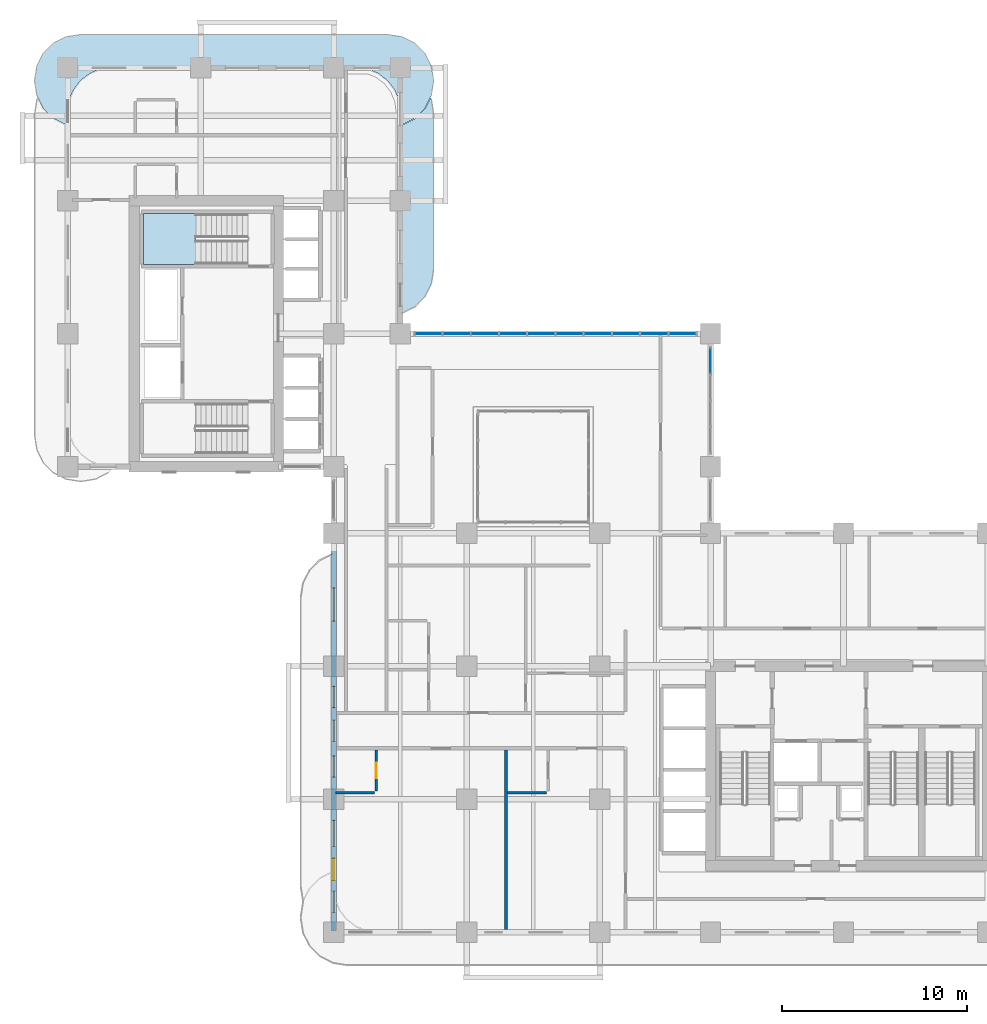
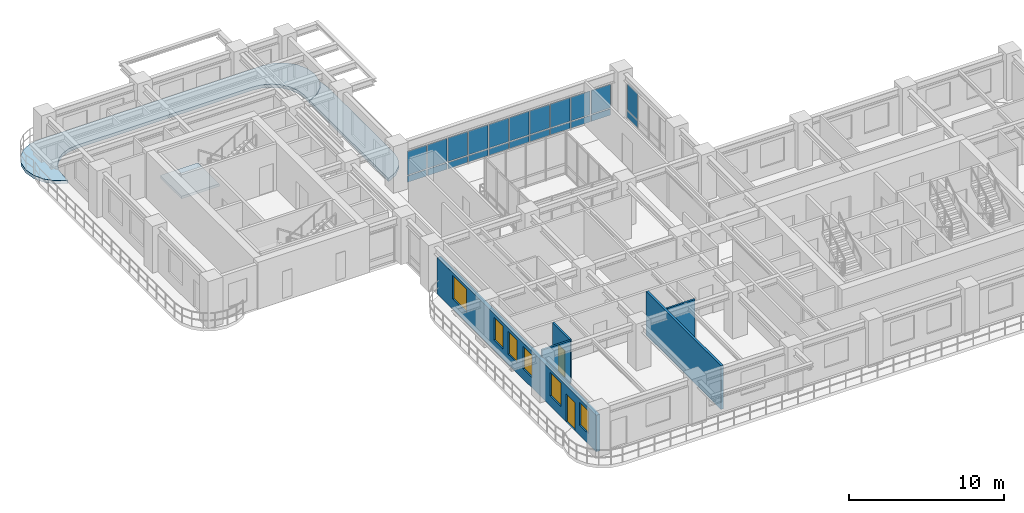
# One storey, part 11 of 22: 22 plates, 6 windows, 5 walls, 3 slabs, 2 doors, 8 openings, 3 elements without a shape of their own.
"""IFC4 building model written with IfcOpenShell, lengths in metres."""

from ifc_helpers import new_model, si_unit, derived_unit, direction, frame, frame_2d, origin, origin_2d, place, context, subcontext, project, spatial, polyline, rectangle, outline, extrude, source, transform, mapped, material, layer, layer_set, type_object, type_shapes, element, fill, aggregate, save


model = new_model("IFC4")

# Units and contexts
model_context = context("Model", 3, precision=1e-05, world=origin(), true_north=direction((0.0, 1.0)))
body_context = subcontext(model_context, "Body", "Model", "MODEL_VIEW")
ifc_project = project(units=[si_unit("LENGTHUNIT", "METRE"), si_unit("AREAUNIT", "SQUARE_METRE"), si_unit("VOLUMEUNIT", "CUBIC_METRE"), si_unit("PLANEANGLEUNIT", "RADIAN"), si_unit("MASSUNIT", "GRAM", prefix="KILO"), si_unit("THERMODYNAMICTEMPERATUREUNIT", "KELVIN"), si_unit("POWERUNIT", "WATT"), derived_unit("THERMALTRANSMITTANCEUNIT", [(si_unit("POWERUNIT", "WATT"), 1), (si_unit("AREAUNIT", "SQUARE_METRE"), -1), (si_unit("THERMODYNAMICTEMPERATUREUNIT", "KELVIN"), -1)])], contexts=[model_context])

# Site, building, storey
site_placement = place(None, origin())
site = spatial("IfcSite", under=ifc_project, at=site_placement, CompositionType="ELEMENT")
building_placement = place(site_placement, origin())
building = spatial("IfcBuilding", under=site, at=building_placement, Name="Zahravan Archway Hotel and Residences", CompositionType="ELEMENT")
storey_placement = place(building_placement, frame((0.0, 0.0, 87.89990234375)))
storey = spatial("IfcBuildingStorey", under=building, at=storey_placement, Name="L21", CompositionType="ELEMENT", Elevation=87.89990234375)

# Slabs
ifc_material_1 = material(Name="Concrete C45/55", Category="concrete")
ifc_layer_1 = layer(ifc_material_1, 0.25, Name="Concrete C45/55", Category="concrete")
ifc_layer_set_1 = layer_set([ifc_layer_1], Name="Concrete C45/55")
slab_type_1 = type_object("IfcSlabType", Name="SLB-BALC-250", PredefinedType="FLOOR", material=ifc_layer_set_1)
slab_1_placement = place(storey_placement, frame((0.0, 0.0, -0.25)))
element("IfcSlab", 1, at=slab_1_placement, inside=storey, type_object=slab_type_1, Name="L21 Wing B North Rounded Balcony Band", PredefinedType="FLOOR", context=body_context, shape_type="SweptSolid", body=[
    extrude(outline(polyline([(-0.107177734375, 43.719970703125), (-0.7900390625, 44.06787109375), (-1.33203125, 44.60986328125), (-1.68017578125, 45.29296875), (-1.800048828125, 46.050048828125), (-1.800048828125, 46.14990234375), (-1.68017578125, 46.906982421875), (-1.33203125, 47.590087890625), (-0.7900390625, 48.132080078125), (-0.107177734375, 48.47998046875), (0.64990234375, 48.60009765625), (17.35009765625, 48.60009765625), (18.107177734375, 48.47998046875), (18.7900390625, 48.132080078125), (19.33203125, 47.590087890625), (19.68017578125, 46.906982421875), (19.800048828125, 46.14990234375), (19.800048828125, 46.050048828125), (19.68017578125, 45.29296875), (19.33203125, 44.60986328125), (18.7900390625, 44.06787109375), (18.107177734375, 43.719970703125), (18.02001953125, 43.7060546875), (18.02001953125, 44.39990234375), (18.019775390625, 44.402587890625), (17.93798828125, 45.023681640625), (17.937744140625, 45.025390625), (17.937255859375, 45.027099609375), (17.936767578125, 45.02880859375), (17.697021484375, 45.607666015625), (17.6962890625, 45.609130859375), (17.6953125, 45.610595703125), (17.6943359375, 45.6123046875), (17.31298828125, 46.109375), (17.311767578125, 46.110595703125), (17.310546875, 46.11181640625), (17.309326171875, 46.113037109375), (16.812255859375, 46.494384765625), (16.810791015625, 46.495361328125), (16.80908203125, 46.49609375), (16.8076171875, 46.4970703125), (16.22900390625, 46.73681640625), (16.227294921875, 46.7373046875), (16.2255859375, 46.73779296875), (16.223876953125, 46.738037109375), (15.6025390625, 46.81982421875), (15.60009765625, 46.820068359375), (2.39990234375, 46.820068359375), (2.3974609375, 46.81982421875), (1.776123046875, 46.738037109375), (1.7744140625, 46.73779296875), (1.772705078125, 46.7373046875), (1.77099609375, 46.73681640625), (1.1923828125, 46.4970703125), (1.19091796875, 46.49609375), (1.189208984375, 46.495361328125), (1.187744140625, 46.494384765625), (0.690673828125, 46.113037109375), (0.689453125, 46.11181640625), (0.688232421875, 46.110595703125), (0.68701171875, 46.109375), (0.3056640625, 45.6123046875), (0.3046875, 45.610595703125), (0.3037109375, 45.609130859375), (0.302978515625, 45.607666015625), (0.063232421875, 45.02880859375), (0.062744140625, 45.027099609375), (0.062255859375, 45.025390625), (0.06201171875, 45.023681640625), (-0.019775390625, 44.402587890625), (-0.02001953125, 44.39990234375), (-0.02001953125, 43.7060546875), (-0.107177734375, 43.719970703125)])), origin(), (0.0, 0.0, 1.0), 0.25),
])
slab_2_placement = place(storey_placement, frame((0.0, 0.0, -0.25)))
element("IfcSlab", 2, at=slab_2_placement, inside=storey, type_object=slab_type_1, Name="L21 Wing B East Rounded Balcony Band", PredefinedType="FLOOR", context=body_context, shape_type="SweptSolid", body=[
    extrude(outline(polyline([(19.68017578125, 45.107177734375), (19.800048828125, 44.35009765625), (19.800048828125, 35.85009765625), (19.68017578125, 35.093017578125), (19.33203125, 34.409912109375), (18.7900390625, 33.867919921875), (18.107177734375, 33.52001953125), (18.02001953125, 33.506103515625), (18.02001953125, 43.68603515625), (18.021240234375, 43.68603515625), (18.023193359375, 43.686279296875), (18.110107421875, 43.7001953125), (18.1123046875, 43.70068359375), (18.1142578125, 43.701171875), (18.1162109375, 43.7021484375), (18.79931640625, 44.050048828125), (18.801025390625, 44.051025390625), (18.802734375, 44.052490234375), (18.80419921875, 44.0537109375), (19.34619140625, 44.595703125), (19.34765625, 44.597412109375), (19.348876953125, 44.59912109375), (19.349853515625, 44.600830078125), (19.64404296875, 45.177978515625), (19.68017578125, 45.107177734375)])), origin(), (0.0, 0.0, 1.0), 0.25),
])

# Stair, slab
ifc_material_2 = material(Name="Concrete C50/60", Category="concrete")
stair_type = type_object("IfcStairType", Name="STR-CORE-1300", PredefinedType="HALF_TURN_STAIR", material=ifc_material_2)
stair_placement = place(storey_placement, origin())
stair = element("IfcStair", 3, at=stair_placement, inside=storey, type_object=stair_type, Name="L21 Core B Exit Stair 2", PredefinedType="HALF_TURN_STAIR")
ifc_layer_2 = layer(ifc_material_2, 0.199951171875, Name="Concrete C50/60", Category="concrete")
ifc_layer_set_2 = layer_set([ifc_layer_2], Name="Concrete C50/60")
slab_type_2 = type_object("IfcSlabType", Name="SLB-LND-200", PredefinedType="LANDING", material=ifc_layer_set_2)
slab_3_placement = place(storey_placement, frame((0.0, 0.0, 1.650146484375)))
slab_3 = element("IfcSlab", 4, at=slab_3_placement, type_object=slab_type_2, Name="ST-B2 landing 1", PredefinedType="LANDING", context=body_context, shape_type="SweptSolid", body=[
    extrude(outline(polyline([(6.929931640625, 38.89990234375), (4.10009765625, 38.89990234375), (4.10009765625, 36.159912109375), (6.929931640625, 36.159912109375), (6.929931640625, 38.89990234375)])), origin(), (0.0, 0.0, 1.0), 0.199951171875),
])
aggregate(stair, [slab_3])

# Curtain wall, plates
ifc_material_3 = material(Name="Bronze-Anodized Unitised Aluminium & Low-E Glass", Category="aluminium")
ifc_layer_3 = layer(ifc_material_3, 0.179931640625, Name="Bronze-Anodized Unitised Aluminium & Low-E Glass", Category="aluminium")
ifc_layer_set_3 = layer_set([ifc_layer_3], Name="Bronze-Anodized Unitised Aluminium & Low-E Glass")
curtain_wall_type = type_object("IfcCurtainWallType", Name="CW-ATR-GLAZ", PredefinedType="NOTDEFINED", material=ifc_layer_set_3)
curtain_wall_1_placement = place(storey_placement, origin())
curtain_wall_1 = element("IfcCurtainWall", 5, at=curtain_wall_1_placement, inside=storey, type_object=curtain_wall_type, Name="L21 Curtain Wall CW-L21-HNG-E-2", PredefinedType="NOTDEFINED")
ifc_material_4 = material(Name="Insulated Terracotta Spandrel Panel", Category="masonry")
ifc_layer_4 = layer(ifc_material_4, 0.0400390625, Name="Insulated Terracotta Spandrel Panel", Category="masonry")
ifc_layer_set_4 = layer_set([ifc_layer_4], Name="Insulated Terracotta Spandrel Panel")
plate_type_1 = type_object("IfcPlateType", Name="CWP-SPN-40", PredefinedType="SHEET", material=ifc_layer_set_4)
shared_shape_1 = source(origin(), body_context, "Body", "SweptSolid", [
    extrude(rectangle(XDim=1.340087890625, YDim=0.0400390625, at=origin_2d()), origin(), (0.0, 0.0, 1.0), 0.552490234375),
])
plate_1_placement = place(storey_placement, frame((34.800048828125, 30.929931640625, 0.10009765625), z_axis=(0.0, 0.0, 1.0), x_axis=(0.0, 1.0, 0.0)))
plate_1 = element("IfcPlate", 6, at=plate_1_placement, type_object=plate_type_1, Name="CW-L21-HNG-E-2 Spandrel Panel 3", PredefinedType="SHEET", context=body_context, shape_type="MappedRepresentation", body=[
    mapped(shared_shape_1, transform((0.0, 0.0, 0.0), scale=1.0)),
])
ifc_material_5 = material(Name="Double-Silver Low-E Insulated Vision Glass", Category="glass")
ifc_layer_5 = layer(ifc_material_5, 0.028076171875, Name="Double-Silver Low-E Insulated Vision Glass", Category="glass")
ifc_layer_set_5 = layer_set([ifc_layer_5], Name="Double-Silver Low-E Insulated Vision Glass")
plate_type_2 = type_object("IfcPlateType", Name="CWP-GLZ-28", PredefinedType="CURTAIN_PANEL", material=ifc_layer_set_5)
shared_shape_2 = source(origin(), body_context, "Body", "SweptSolid", [
    extrude(rectangle(XDim=1.340087890625, YDim=0.028076171875, at=origin_2d()), origin(), (0.0, 0.0, 1.0), 2.052490234375),
])
plate_2_placement = place(storey_placement, frame((34.800048828125, 30.929931640625, 0.732421875), z_axis=(0.0, 0.0, 1.0), x_axis=(0.0, 1.0, 0.0)))
plate_2 = element("IfcPlate", 7, at=plate_2_placement, type_object=plate_type_2, Name="CW-L21-HNG-E-2 Low-E Vision Panel 3", PredefinedType="CURTAIN_PANEL", context=body_context, shape_type="MappedRepresentation", body=[
    mapped(shared_shape_2, transform((0.0, 0.0, 0.0), scale=1.0)),
])
aggregate(curtain_wall_1, [plate_1, plate_2])

curtain_wall_2_placement = place(storey_placement, origin())
curtain_wall_2 = element("IfcCurtainWall", 8, at=curtain_wall_2_placement, inside=storey, type_object=curtain_wall_type, Name="L21 Curtain Wall CW-L21-HNG-N-1", PredefinedType="NOTDEFINED")
shared_shape_3 = source(origin(), body_context, "Body", "SweptSolid", [
    extrude(rectangle(XDim=1.447998046875, YDim=0.0400390625, at=origin_2d()), origin(), (0.0, 0.0, 1.0), 0.492431640625),
])
plate_3_placement = place(storey_placement, frame((19.52392578125, 32.39990234375, 0.10009765625), z_axis=(0.0, 0.0, 1.0), x_axis=(1.0, 0.0, 0.0)))
plate_3 = element("IfcPlate", 9, at=plate_3_placement, type_object=plate_type_1, Name="CW-L21-HNG-N-1 Spandrel Panel 0", PredefinedType="SHEET", context=body_context, shape_type="MappedRepresentation", body=[
    mapped(shared_shape_3, transform((0.0, 0.0, 0.0), scale=1.0)),
])
plate_4_placement = place(storey_placement, frame((21.052001953125, 32.39990234375, 0.10009765625), z_axis=(0.0, 0.0, 1.0), x_axis=(1.0, 0.0, 0.0)))
plate_4 = element("IfcPlate", 10, at=plate_4_placement, type_object=plate_type_1, Name="CW-L21-HNG-N-1 Spandrel Panel 1", PredefinedType="SHEET", context=body_context, shape_type="MappedRepresentation", body=[
    mapped(shared_shape_3, transform((0.0, 0.0, 0.0), scale=1.0)),
])
plate_5_placement = place(storey_placement, frame((22.580078125, 32.39990234375, 0.10009765625), z_axis=(0.0, 0.0, 1.0), x_axis=(1.0, 0.0, 0.0)))
plate_5 = element("IfcPlate", 11, at=plate_5_placement, type_object=plate_type_1, Name="CW-L21-HNG-N-1 Spandrel Panel 2", PredefinedType="SHEET", context=body_context, shape_type="MappedRepresentation", body=[
    mapped(shared_shape_3, transform((0.0, 0.0, 0.0), scale=1.0)),
])
plate_6_placement = place(storey_placement, frame((24.10791015625, 32.39990234375, 0.10009765625), z_axis=(0.0, 0.0, 1.0), x_axis=(1.0, 0.0, 0.0)))
plate_6 = element("IfcPlate", 12, at=plate_6_placement, type_object=plate_type_1, Name="CW-L21-HNG-N-1 Spandrel Panel 3", PredefinedType="SHEET", context=body_context, shape_type="MappedRepresentation", body=[
    mapped(shared_shape_3, transform((0.0, 0.0, 0.0), scale=1.0)),
])
plate_7_placement = place(storey_placement, frame((25.635986328125, 32.39990234375, 0.10009765625), z_axis=(0.0, 0.0, 1.0), x_axis=(1.0, 0.0, 0.0)))
plate_7 = element("IfcPlate", 13, at=plate_7_placement, type_object=plate_type_1, Name="CW-L21-HNG-N-1 Spandrel Panel 4", PredefinedType="SHEET", context=body_context, shape_type="MappedRepresentation", body=[
    mapped(shared_shape_3, transform((0.0, 0.0, 0.0), scale=1.0)),
])
plate_8_placement = place(storey_placement, frame((27.1640625, 32.39990234375, 0.10009765625), z_axis=(0.0, 0.0, 1.0), x_axis=(1.0, 0.0, 0.0)))
plate_8 = element("IfcPlate", 14, at=plate_8_placement, type_object=plate_type_1, Name="CW-L21-HNG-N-1 Spandrel Panel 5", PredefinedType="SHEET", context=body_context, shape_type="MappedRepresentation", body=[
    mapped(shared_shape_3, transform((0.0, 0.0, 0.0), scale=1.0)),
])
plate_9_placement = place(storey_placement, frame((28.69189453125, 32.39990234375, 0.10009765625), z_axis=(0.0, 0.0, 1.0), x_axis=(1.0, 0.0, 0.0)))
plate_9 = element("IfcPlate", 15, at=plate_9_placement, type_object=plate_type_1, Name="CW-L21-HNG-N-1 Spandrel Panel 6", PredefinedType="SHEET", context=body_context, shape_type="MappedRepresentation", body=[
    mapped(shared_shape_3, transform((0.0, 0.0, 0.0), scale=1.0)),
])
plate_10_placement = place(storey_placement, frame((30.219970703125, 32.39990234375, 0.10009765625), z_axis=(0.0, 0.0, 1.0), x_axis=(1.0, 0.0, 0.0)))
plate_10 = element("IfcPlate", 16, at=plate_10_placement, type_object=plate_type_1, Name="CW-L21-HNG-N-1 Spandrel Panel 7", PredefinedType="SHEET", context=body_context, shape_type="MappedRepresentation", body=[
    mapped(shared_shape_3, transform((0.0, 0.0, 0.0), scale=1.0)),
])
plate_11_placement = place(storey_placement, frame((31.748046875, 32.39990234375, 0.10009765625), z_axis=(0.0, 0.0, 1.0), x_axis=(1.0, 0.0, 0.0)))
plate_11 = element("IfcPlate", 17, at=plate_11_placement, type_object=plate_type_1, Name="CW-L21-HNG-N-1 Spandrel Panel 8", PredefinedType="SHEET", context=body_context, shape_type="MappedRepresentation", body=[
    mapped(shared_shape_3, transform((0.0, 0.0, 0.0), scale=1.0)),
])
plate_12_placement = place(storey_placement, frame((33.27587890625, 32.39990234375, 0.10009765625), z_axis=(0.0, 0.0, 1.0), x_axis=(1.0, 0.0, 0.0)))
plate_12 = element("IfcPlate", 18, at=plate_12_placement, type_object=plate_type_1, Name="CW-L21-HNG-N-1 Spandrel Panel 9", PredefinedType="SHEET", context=body_context, shape_type="MappedRepresentation", body=[
    mapped(shared_shape_3, transform((0.0, 0.0, 0.0), scale=1.0)),
])
shared_shape_4 = source(origin(), body_context, "Body", "SweptSolid", [
    extrude(rectangle(XDim=1.447998046875, YDim=0.028076171875, at=origin_2d()), origin(), (0.0, 0.0, 1.0), 1.862548828125),
])
plate_13_placement = place(storey_placement, frame((19.52392578125, 32.39990234375, 0.67236328125), z_axis=(0.0, 0.0, 1.0), x_axis=(1.0, 0.0, 0.0)))
plate_13 = element("IfcPlate", 19, at=plate_13_placement, type_object=plate_type_2, Name="CW-L21-HNG-N-1 Low-E Vision Panel 0", PredefinedType="CURTAIN_PANEL", context=body_context, shape_type="MappedRepresentation", body=[
    mapped(shared_shape_4, transform((0.0, 0.0, 0.0), scale=1.0)),
])
plate_14_placement = place(storey_placement, frame((21.052001953125, 32.39990234375, 0.67236328125), z_axis=(0.0, 0.0, 1.0), x_axis=(1.0, 0.0, 0.0)))
plate_14 = element("IfcPlate", 20, at=plate_14_placement, type_object=plate_type_2, Name="CW-L21-HNG-N-1 Low-E Vision Panel 1", PredefinedType="CURTAIN_PANEL", context=body_context, shape_type="MappedRepresentation", body=[
    mapped(shared_shape_4, transform((0.0, 0.0, 0.0), scale=1.0)),
])
plate_15_placement = place(storey_placement, frame((22.580078125, 32.39990234375, 0.67236328125), z_axis=(0.0, 0.0, 1.0), x_axis=(1.0, 0.0, 0.0)))
plate_15 = element("IfcPlate", 21, at=plate_15_placement, type_object=plate_type_2, Name="CW-L21-HNG-N-1 Low-E Vision Panel 2", PredefinedType="CURTAIN_PANEL", context=body_context, shape_type="MappedRepresentation", body=[
    mapped(shared_shape_4, transform((0.0, 0.0, 0.0), scale=1.0)),
])
plate_16_placement = place(storey_placement, frame((24.10791015625, 32.39990234375, 0.67236328125), z_axis=(0.0, 0.0, 1.0), x_axis=(1.0, 0.0, 0.0)))
plate_16 = element("IfcPlate", 22, at=plate_16_placement, type_object=plate_type_2, Name="CW-L21-HNG-N-1 Low-E Vision Panel 3", PredefinedType="CURTAIN_PANEL", context=body_context, shape_type="MappedRepresentation", body=[
    mapped(shared_shape_4, transform((0.0, 0.0, 0.0), scale=1.0)),
])
plate_17_placement = place(storey_placement, frame((25.635986328125, 32.39990234375, 0.67236328125), z_axis=(0.0, 0.0, 1.0), x_axis=(1.0, 0.0, 0.0)))
plate_17 = element("IfcPlate", 23, at=plate_17_placement, type_object=plate_type_2, Name="CW-L21-HNG-N-1 Low-E Vision Panel 4", PredefinedType="CURTAIN_PANEL", context=body_context, shape_type="MappedRepresentation", body=[
    mapped(shared_shape_4, transform((0.0, 0.0, 0.0), scale=1.0)),
])
plate_18_placement = place(storey_placement, frame((27.1640625, 32.39990234375, 0.67236328125), z_axis=(0.0, 0.0, 1.0), x_axis=(1.0, 0.0, 0.0)))
plate_18 = element("IfcPlate", 24, at=plate_18_placement, type_object=plate_type_2, Name="CW-L21-HNG-N-1 Low-E Vision Panel 5", PredefinedType="CURTAIN_PANEL", context=body_context, shape_type="MappedRepresentation", body=[
    mapped(shared_shape_4, transform((0.0, 0.0, 0.0), scale=1.0)),
])
plate_19_placement = place(storey_placement, frame((28.69189453125, 32.39990234375, 0.67236328125), z_axis=(0.0, 0.0, 1.0), x_axis=(1.0, 0.0, 0.0)))
plate_19 = element("IfcPlate", 25, at=plate_19_placement, type_object=plate_type_2, Name="CW-L21-HNG-N-1 Low-E Vision Panel 6", PredefinedType="CURTAIN_PANEL", context=body_context, shape_type="MappedRepresentation", body=[
    mapped(shared_shape_4, transform((0.0, 0.0, 0.0), scale=1.0)),
])
plate_20_placement = place(storey_placement, frame((30.219970703125, 32.39990234375, 0.67236328125), z_axis=(0.0, 0.0, 1.0), x_axis=(1.0, 0.0, 0.0)))
plate_20 = element("IfcPlate", 26, at=plate_20_placement, type_object=plate_type_2, Name="CW-L21-HNG-N-1 Low-E Vision Panel 7", PredefinedType="CURTAIN_PANEL", context=body_context, shape_type="MappedRepresentation", body=[
    mapped(shared_shape_4, transform((0.0, 0.0, 0.0), scale=1.0)),
])
plate_21_placement = place(storey_placement, frame((31.748046875, 32.39990234375, 0.67236328125), z_axis=(0.0, 0.0, 1.0), x_axis=(1.0, 0.0, 0.0)))
plate_21 = element("IfcPlate", 27, at=plate_21_placement, type_object=plate_type_2, Name="CW-L21-HNG-N-1 Low-E Vision Panel 8", PredefinedType="CURTAIN_PANEL", context=body_context, shape_type="MappedRepresentation", body=[
    mapped(shared_shape_4, transform((0.0, 0.0, 0.0), scale=1.0)),
])
plate_22_placement = place(storey_placement, frame((33.27587890625, 32.39990234375, 0.67236328125), z_axis=(0.0, 0.0, 1.0), x_axis=(1.0, 0.0, 0.0)))
plate_22 = element("IfcPlate", 28, at=plate_22_placement, type_object=plate_type_2, Name="CW-L21-HNG-N-1 Low-E Vision Panel 9", PredefinedType="CURTAIN_PANEL", context=body_context, shape_type="MappedRepresentation", body=[
    mapped(shared_shape_4, transform((0.0, 0.0, 0.0), scale=1.0)),
])
aggregate(curtain_wall_2, [plate_3, plate_13, plate_4, plate_14, plate_5, plate_15, plate_6, plate_16, plate_7, plate_17, plate_8, plate_18, plate_9, plate_19, plate_10, plate_20, plate_11, plate_21, plate_12, plate_22])

# Wall, openings, door, windows
ifc_material_6 = material(Name="Honed Red-Ochre Sandstone & Insulated Block", Category="masonry")
ifc_layer_6 = layer(ifc_material_6, 0.280029296875, Name="Honed Red-Ochre Sandstone & Insulated Block", Category="masonry")
ifc_layer_set_6 = layer_set([ifc_layer_6], Name="Honed Red-Ochre Sandstone & Insulated Block")
wall_type_1 = type_object("IfcWallType", Name="EW-LOG-280", PredefinedType="SOLIDWALL", material=ifc_layer_set_6)
wall_1_placement = place(storey_placement, frame((14.39990234375, 0.050048828125, 0.0), z_axis=(0.0, 0.0, 1.0), x_axis=(0.0, 1.0, 0.0)))
wall_1 = element("IfcWall", 29, at=wall_1_placement, inside=storey, type_object=wall_type_1, Name="L21 Exterior Sandstone Wall WA-WL", PredefinedType="SOLIDWALL", context=body_context, shape_type="SweptSolid", body=[
    extrude(rectangle(XDim=20.599853515625, YDim=0.280029296875, at=frame_2d((10.2998046875, 0.0))), origin(), (0.0, 0.0, 1.0), 2.885009765625),
])
opening_1_placement = place(wall_1_placement, frame((2.75, 0.0, 0.0)))
opening_1 = element("IfcOpeningElement", 30, at=opening_1_placement, cuts=wall_1, Name="Opening ED-BL1", PredefinedType="OPENING", context=body_context, shape_type="SweptSolid", body=[
    extrude(rectangle(XDim=1.199951171875, YDim=2.199951171875, at=frame_2d((0.60009765625, 1.10009765625))), frame((0.0, 0.14990234375, 0.0), z_axis=(0.0, -1.0, 0.0), x_axis=(1.0, 0.0, 0.0)), (0.0, 0.0, 1.0), 0.300048828125),
])
opening_2_placement = place(wall_1_placement, frame((1.02490234375, 0.0, 0.800048828125)))
opening_2 = element("IfcOpeningElement", 31, at=opening_2_placement, cuts=wall_1, Name="Opening W-05", PredefinedType="OPENING", context=body_context, shape_type="SweptSolid", body=[
    extrude(rectangle(XDim=1.14990234375, YDim=1.800048828125, at=frame_2d((0.574951171875, 0.89990234375))), frame((0.0, 0.14990234375, 0.0), z_axis=(0.0, -1.0, 0.0), x_axis=(1.0, 0.0, 0.0)), (0.0, 0.0, 1.0), 0.300048828125),
])
opening_3_placement = place(wall_1_placement, frame((4.60009765625, 0.0, 0.800048828125)))
opening_3 = element("IfcOpeningElement", 32, at=opening_3_placement, cuts=wall_1, Name="Opening W-03", PredefinedType="OPENING", context=body_context, shape_type="SweptSolid", body=[
    extrude(rectangle(XDim=1.39990234375, YDim=1.85009765625, at=frame_2d((0.699951171875, 0.925048828125))), frame((0.0, 0.14990234375, 0.0), z_axis=(0.0, -1.0, 0.0), x_axis=(1.0, 0.0, 0.0)), (0.0, 0.0, 1.0), 0.300048828125),
])
opening_4_placement = place(wall_1_placement, frame((8.345947265625, 0.0, 0.800048828125)))
opening_4 = element("IfcOpeningElement", 33, at=opening_4_placement, cuts=wall_1, Name="Opening W-05", PredefinedType="OPENING", context=body_context, shape_type="SweptSolid", body=[
    extrude(rectangle(XDim=1.14990234375, YDim=1.800048828125, at=frame_2d((0.574951171875, 0.89990234375))), frame((0.0, 0.14990234375, 0.0), z_axis=(0.0, -1.0, 0.0), x_axis=(1.0, 0.0, 0.0)), (0.0, 0.0, 1.0), 0.300048828125),
])
opening_5_placement = place(wall_1_placement, frame((10.284912109375, 0.0, 0.800048828125)))
opening_5 = element("IfcOpeningElement", 34, at=opening_5_placement, cuts=wall_1, Name="Opening W-05", PredefinedType="OPENING", context=body_context, shape_type="SweptSolid", body=[
    extrude(rectangle(XDim=1.14990234375, YDim=1.800048828125, at=frame_2d((0.574951171875, 0.89990234375))), frame((0.0, 0.14990234375, 0.0), z_axis=(0.0, -1.0, 0.0), x_axis=(1.0, 0.0, 0.0)), (0.0, 0.0, 1.0), 0.300048828125),
])
opening_6_placement = place(wall_1_placement, frame((12.114013671875, 0.0, 0.800048828125)))
opening_6 = element("IfcOpeningElement", 35, at=opening_6_placement, cuts=wall_1, Name="Opening W-05", PredefinedType="OPENING", context=body_context, shape_type="SweptSolid", body=[
    extrude(rectangle(XDim=1.14990234375, YDim=1.800048828125, at=frame_2d((0.574951171875, 0.89990234375))), frame((0.0, 0.14990234375, 0.0), z_axis=(0.0, -1.0, 0.0), x_axis=(1.0, 0.0, 0.0)), (0.0, 0.0, 1.0), 0.300048828125),
])
opening_7_placement = place(wall_1_placement, frame((16.7900390625, 0.0, 0.800048828125)))
opening_7 = element("IfcOpeningElement", 36, at=opening_7_placement, cuts=wall_1, Name="Opening W-02", PredefinedType="OPENING", context=body_context, shape_type="SweptSolid", body=[
    extrude(rectangle(XDim=1.800048828125, YDim=1.85009765625, at=frame_2d((0.89990234375, 0.925048828125))), frame((0.0, 0.14990234375, 0.0), z_axis=(0.0, -1.0, 0.0), x_axis=(1.0, 0.0, 0.0)), (0.0, 0.0, 1.0), 0.300048828125),
])
ifc_material_7 = material(Name="Bronze-Anodized Glazed Aluminium", Category="aluminium")
door_type_1 = type_object("IfcDoorType", Name="ED-BALC-1200", OperationType="SLIDING_TO_LEFT", PredefinedType="DOOR", material=ifc_material_7)
shared_shape_5 = source(origin(), body_context, "Body", "SweptSolid", [
    extrude(rectangle(XDim=1.199951171875, YDim=2.199951171875, at=frame_2d((0.60009765625, 1.10009765625))), frame((0.0, 0.02490234375, 0.0), z_axis=(0.0, -1.0, 0.0), x_axis=(1.0, 0.0, 0.0)), (0.0, 0.0, 1.0), 0.050048828125),
])
type_shapes(door_type_1, [shared_shape_5])
door_1_placement = place(opening_1_placement, origin())
door_1 = element("IfcDoor", 37, at=door_1_placement, inside=storey, type_object=door_type_1, Name="L21 Outdoor Access Sliding Door (SLB-BAL-L21-WA)", OperationType="SLIDING_TO_LEFT", OverallHeight=2.199951171875, OverallWidth=1.199951171875, PredefinedType="DOOR", context=body_context, shape_type="MappedRepresentation", body=[
    mapped(shared_shape_5, transform((0.0, 0.0, 0.0), scale=1.0)),
])
fill(opening_1, door_1)
ifc_material_8 = material(Name="Bronze-Anodized Thermal-Break Aluminium & Low-E Glass", Category="aluminium")
window_type_1 = type_object("IfcWindowType", Name="WIN-TWR-1400", PartitioningType="SINGLE_PANEL", PredefinedType="WINDOW", material=ifc_material_8)
shared_shape_6 = source(origin(), body_context, "Body", "SweptSolid", [
    extrude(rectangle(XDim=1.39990234375, YDim=1.85009765625, at=frame_2d((0.699951171875, 0.925048828125))), frame((0.0, 0.030029296875, 0.0), z_axis=(0.0, -1.0, 0.0), x_axis=(1.0, 0.0, 0.0)), (0.0, 0.0, 1.0), 0.06005859375),
])
type_shapes(window_type_1, [shared_shape_6])
window_1_placement = place(opening_3_placement, origin())
window_1 = element("IfcWindow", 38, at=window_1_placement, inside=storey, type_object=window_type_1, Name="L21 Loggia Window 23", OverallHeight=1.85009765625, OverallWidth=1.39990234375, PartitioningType="SINGLE_PANEL", PredefinedType="WINDOW", context=body_context, shape_type="MappedRepresentation", body=[
    mapped(shared_shape_6, transform((0.0, 0.0, 0.0), scale=1.0)),
])
fill(opening_3, window_1)
window_type_2 = type_object("IfcWindowType", Name="WIN-TWR-1800", PartitioningType="DOUBLE_PANEL_VERTICAL", PredefinedType="WINDOW", material=ifc_material_8)
shared_shape_7 = source(origin(), body_context, "Body", "SweptSolid", [
    extrude(rectangle(XDim=1.800048828125, YDim=1.85009765625, at=frame_2d((0.89990234375, 0.925048828125))), frame((0.0, 0.030029296875, 0.0), z_axis=(0.0, -1.0, 0.0), x_axis=(1.0, 0.0, 0.0)), (0.0, 0.0, 1.0), 0.06005859375),
])
type_shapes(window_type_2, [shared_shape_7])
window_2_placement = place(opening_7_placement, origin())
window_2 = element("IfcWindow", 39, at=window_2_placement, inside=storey, type_object=window_type_2, Name="L21 Loggia Window 27", OverallHeight=1.85009765625, OverallWidth=1.800048828125, PartitioningType="DOUBLE_PANEL_VERTICAL", PredefinedType="WINDOW", context=body_context, shape_type="MappedRepresentation", body=[
    mapped(shared_shape_7, transform((0.0, 0.0, 0.0), scale=1.0)),
])
fill(opening_7, window_2)
window_type_3 = type_object("IfcWindowType", Name="WIN-TWR-1150", PartitioningType="SINGLE_PANEL", PredefinedType="WINDOW", material=ifc_material_8)
shared_shape_8 = source(origin(), body_context, "Body", "SweptSolid", [
    extrude(rectangle(XDim=1.14990234375, YDim=1.800048828125, at=frame_2d((0.574951171875, 0.89990234375))), frame((0.0, 0.030029296875, 0.0), z_axis=(0.0, -1.0, 0.0), x_axis=(1.0, 0.0, 0.0)), (0.0, 0.0, 1.0), 0.06005859375),
])
type_shapes(window_type_3, [shared_shape_8])
window_3_placement = place(opening_2_placement, origin())
window_3 = element("IfcWindow", 40, at=window_3_placement, inside=storey, type_object=window_type_3, Name="L21 Loggia Window 22", OverallHeight=1.800048828125, OverallWidth=1.14990234375, PartitioningType="SINGLE_PANEL", PredefinedType="WINDOW", context=body_context, shape_type="MappedRepresentation", body=[
    mapped(shared_shape_8, transform((0.0, 0.0, 0.0), scale=1.0)),
])
fill(opening_2, window_3)
window_4_placement = place(opening_4_placement, origin())
window_4 = element("IfcWindow", 41, at=window_4_placement, inside=storey, type_object=window_type_3, Name="L21 Loggia Window 24", OverallHeight=1.800048828125, OverallWidth=1.14990234375, PartitioningType="SINGLE_PANEL", PredefinedType="WINDOW", context=body_context, shape_type="MappedRepresentation", body=[
    mapped(shared_shape_8, transform((0.0, 0.0, 0.0), scale=1.0)),
])
fill(opening_4, window_4)
window_5_placement = place(opening_5_placement, origin())
window_5 = element("IfcWindow", 42, at=window_5_placement, inside=storey, type_object=window_type_3, Name="L21 Loggia Window 25", OverallHeight=1.800048828125, OverallWidth=1.14990234375, PartitioningType="SINGLE_PANEL", PredefinedType="WINDOW", context=body_context, shape_type="MappedRepresentation", body=[
    mapped(shared_shape_8, transform((0.0, 0.0, 0.0), scale=1.0)),
])
fill(opening_5, window_5)
window_6_placement = place(opening_6_placement, origin())
window_6 = element("IfcWindow", 43, at=window_6_placement, inside=storey, type_object=window_type_3, Name="L21 Loggia Window 26", OverallHeight=1.800048828125, OverallWidth=1.14990234375, PartitioningType="SINGLE_PANEL", PredefinedType="WINDOW", context=body_context, shape_type="MappedRepresentation", body=[
    mapped(shared_shape_8, transform((0.0, 0.0, 0.0), scale=1.0)),
])
fill(opening_6, window_6)

# Wall
ifc_material_9 = material(Name="Acoustic Stud Partition")
ifc_layer_7 = layer(ifc_material_9, 0.169921875, Name="Acoustic Stud Partition")
ifc_layer_set_7 = layer_set([ifc_layer_7], Name="Acoustic Stud Partition")
wall_type_2 = type_object("IfcWallType", Name="PW-UNIT-170", PredefinedType="PARTITIONING", material=ifc_layer_set_7)
wall_2_placement = place(storey_placement, frame((23.719970703125, 0.14794921875, 0.0), z_axis=(0.0, 0.0, 1.0), x_axis=(0.0, 1.0, 0.0)))
element("IfcWall", 44, at=wall_2_placement, inside=storey, type_object=wall_type_2, Name="L21 Partition WAS-1M", PredefinedType="PARTITIONING", context=body_context, shape_type="SweptSolid", body=[
    extrude(rectangle(XDim=9.712158203125, YDim=0.169921875, at=frame_2d((4.85595703125, 0.0))), origin(), (0.0, 0.0, 1.0), 3.4501953125),
])

# Wall, opening, door
ifc_material_10 = material(Name="Moisture-Resistant Blockwork", Category="masonry")
ifc_layer_8 = layer(ifc_material_10, 0.139892578125, Name="Moisture-Resistant Blockwork", Category="masonry")
ifc_layer_set_8 = layer_set([ifc_layer_8], Name="Moisture-Resistant Blockwork")
wall_type_3 = type_object("IfcWallType", Name="PW-WET-140", PredefinedType="PARTITIONING", material=ifc_layer_set_8)
wall_3_placement = place(storey_placement, frame((16.699951171875, 7.639892578125, 0.0), z_axis=(0.0, 0.0, 1.0), x_axis=(0.0, 1.0, 0.0)))
wall_3 = element("IfcWall", 45, at=wall_3_placement, inside=storey, type_object=wall_type_3, Name="L21 Partition HKB-V11", PredefinedType="PARTITIONING", context=body_context, shape_type="SweptSolid", body=[
    extrude(rectangle(XDim=2.22021484375, YDim=0.139892578125, at=frame_2d((1.110107421875, 0.0))), origin(), (0.0, 0.0, 1.0), 3.4501953125),
])
opening_8_placement = place(wall_3_placement, frame((0.68505859375, 0.0, 0.0)))
opening_8 = element("IfcOpeningElement", 46, at=opening_8_placement, cuts=wall_3, Name="Opening D-B1", PredefinedType="OPENING", context=body_context, shape_type="SweptSolid", body=[
    extrude(rectangle(XDim=0.85009765625, YDim=2.10009765625, at=frame_2d((0.425048828125, 1.050048828125))), frame((0.0, 0.080078125, 0.0), z_axis=(0.0, -1.0, 0.0), x_axis=(1.0, 0.0, 0.0)), (0.0, 0.0, 1.0), 0.159912109375),
])
ifc_material_11 = material(Name="Hardwood Veneer Timber", Category="wood")
door_type_2 = type_object("IfcDoorType", Name="ID-BATH-850", OperationType="NOTDEFINED", PredefinedType="DOOR", material=ifc_material_11)
shared_shape_9 = source(origin(), body_context, "Body", "SweptSolid", [
    extrude(rectangle(XDim=0.85009765625, YDim=2.10009765625, at=frame_2d((0.425048828125, 1.050048828125))), frame((0.0, 0.02490234375, 0.0), z_axis=(0.0, -1.0, 0.0), x_axis=(1.0, 0.0, 0.0)), (0.0, 0.0, 1.0), 0.050048828125),
])
type_shapes(door_type_2, [shared_shape_9])
door_2_placement = place(opening_8_placement, origin())
door_2 = element("IfcDoor", 47, at=door_2_placement, inside=storey, type_object=door_type_2, Name="L21 Guestroom 11 En-Suite Door", OperationType="SINGLE_SWING_LEFT", OverallHeight=2.10009765625, OverallWidth=0.85009765625, PredefinedType="DOOR", context=body_context, shape_type="MappedRepresentation", body=[
    mapped(shared_shape_9, transform((0.0, 0.0, 0.0), scale=1.0)),
])
fill(opening_8, door_2)

# Walls
wall_4_placement = place(storey_placement, frame((14.489990234375, 7.550048828125, 0.0), z_axis=(0.0, 0.0, 1.0), x_axis=(1.0, 0.0, 0.0)))
element("IfcWall", 48, at=wall_4_placement, inside=storey, type_object=wall_type_3, Name="L21 Partition HKB-H11", PredefinedType="PARTITIONING", context=body_context, shape_type="SweptSolid", body=[
    extrude(rectangle(XDim=2.1201171875, YDim=0.139892578125, at=frame_2d((1.06005859375, 0.0))), origin(), (0.0, 0.0, 1.0), 3.4501953125),
])
wall_5_placement = place(storey_placement, frame((23.81005859375, 7.550048828125, 0.0), z_axis=(0.0, 0.0, 1.0), x_axis=(1.0, 0.0, 0.0)))
element("IfcWall", 49, at=wall_5_placement, inside=storey, type_object=wall_type_3, Name="L21 Partition HKB-H12", PredefinedType="PARTITIONING", context=body_context, shape_type="SweptSolid", body=[
    extrude(rectangle(XDim=2.119873046875, YDim=0.139892578125, at=frame_2d((1.06005859375, 0.0))), origin(), (0.0, 0.0, 1.0), 3.4501953125),
])

save(model, "model.ifc")
